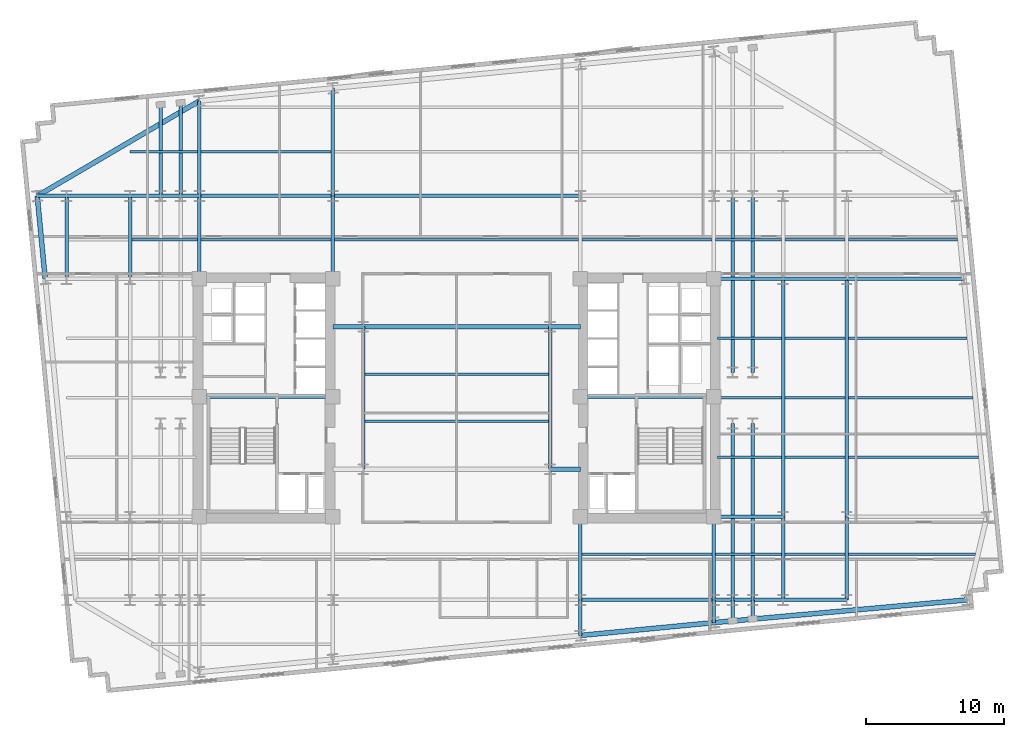
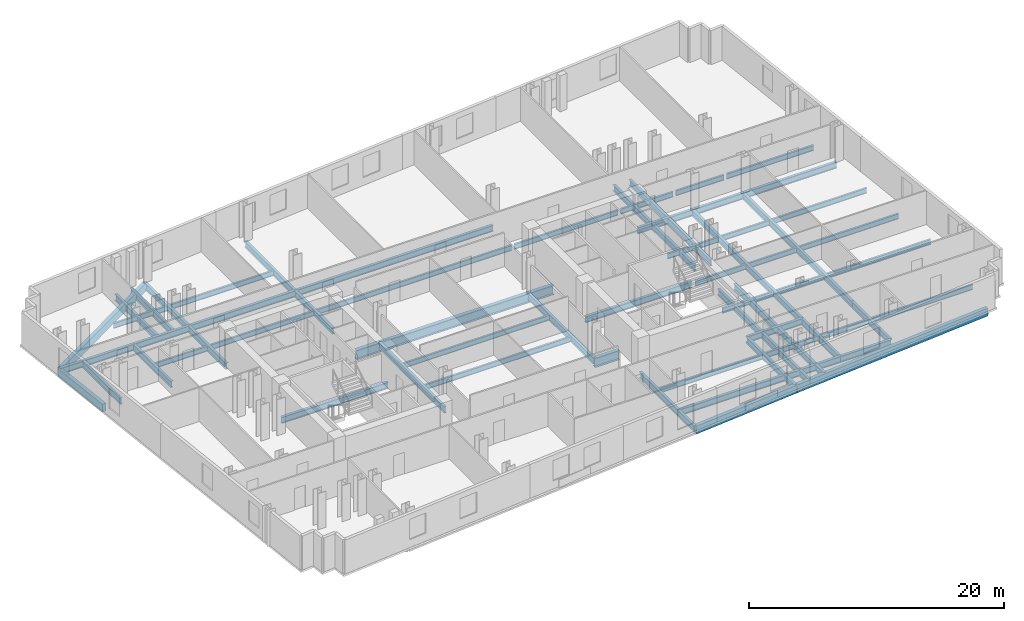
# One storey, part 2 of 11: 70 beams.
"""IFC4 building model written with IfcOpenShell, lengths in metres."""

from ifc_helpers import new_model, si_unit, direction, frame, origin, origin_2d, place, context, subcontext, project, spatial, rectangle, i_section, extrude, material, material_profile, profile_set, type_object, element, save


model = new_model("IFC4")

# Units and contexts
model_context = context("Model", 3, precision=1e-05, world=origin(), true_north=direction((0.0, 1.0)))
body_context = subcontext(model_context, "Body", "Model", "MODEL_VIEW")
ifc_project = project(units=[si_unit("LENGTHUNIT", "METRE"), si_unit("AREAUNIT", "SQUARE_METRE"), si_unit("VOLUMEUNIT", "CUBIC_METRE"), si_unit("PLANEANGLEUNIT", "RADIAN"), si_unit("MASSUNIT", "GRAM", prefix="KILO")], contexts=[model_context])

# Site, building, storey
site_placement = place(None, origin())
site = spatial("IfcSite", under=ifc_project, at=site_placement, CompositionType="ELEMENT")
building_placement = place(site_placement, origin())
building = spatial("IfcBuilding", under=site, at=building_placement, Name="Velakula Bourse", CompositionType="ELEMENT")
storey_placement = place(building_placement, frame((0.0, 0.0, 101.800048828125)))
storey = spatial("IfcBuildingStorey", under=building, at=storey_placement, Name="L27", CompositionType="ELEMENT", Elevation=101.800048828125)

# Beams
ifc_material_1 = material(Name="Steel IS 2062 Grade 350 (E350)", Category="steel")
ifc_material_profile_1 = material_profile(ifc_material_1, i_section(OverallWidth=0.25, OverallDepth=0.60009765625, WebThickness=0.01171875, FlangeThickness=0.023681640625, at=origin_2d()), Name="Steel IS 2062 Grade 350 (E350)")
ifc_profile_set_1 = profile_set([ifc_material_profile_1], Name="Steel IS 2062 Grade 350 (E350)")
beam_type_1 = type_object("IfcBeamType", Name="BM-GRD-600H", PredefinedType="BEAM", material=ifc_profile_set_1)
for number, where, z_axis, x_axis, name in (
    (1, (-18.60009765625, 0.10009765625, -0.47998046875), (1.0, 0.0, 0.0), (0.0, 1.0, 0.0), "L27 Primary Backbone Girder CRW-M"),
    (2, (8.949951171875, 0.10009765625, -0.47998046875), (1.0, 0.0, 0.0), (0.0, 1.0, 0.0), "L27 Primary Backbone Girder CRE-M"),
):
    element("IfcBeam", number, at=place(storey_placement, frame(where, z_axis=z_axis, x_axis=x_axis)), inside=storey, type_object=beam_type_1, Name=name, PredefinedType="BEAM", context=body_context, shape_type="SweptSolid", body=[
        extrude(i_section(OverallWidth=0.25, OverallDepth=0.60009765625, WebThickness=0.01171875, FlangeThickness=0.023681640625, at=origin_2d()), origin(), (0.0, 0.0, 1.0), 9.650146484375),
    ])
for number, where, z_axis, x_axis, name in (
    (3, (-6.75, -5.14990234375, -0.47998046875), (0.0, 1.0, 0.0), (-1.0, 0.0, 0.0), "L27 Primary Backbone Girder SPN-W"),
    (4, (6.75, -5.14990234375, -0.47998046875), (0.0, 1.0, 0.0), (-1.0, 0.0, 0.0), "L27 Primary Backbone Girder SPN-E"),
):
    element("IfcBeam", number, at=place(storey_placement, frame(where, z_axis=z_axis, x_axis=x_axis)), inside=storey, type_object=beam_type_1, Name=name, PredefinedType="BEAM", context=body_context, shape_type="SweptSolid", body=[
        extrude(i_section(OverallWidth=0.25, OverallDepth=0.60009765625, WebThickness=0.01171875, FlangeThickness=0.023681640625, at=origin_2d()), origin(), (0.0, 0.0, 1.0), 10.2998046875),
    ])
for number, where, z_axis, x_axis, name in (
    (5, (-18.60009765625, 8.60009765625, -0.47998046875), (0.0, 1.0, 0.0), (-1.0, 0.0, 0.0), "L27 Fulcrum Grid Girder FLC-WN"),
    (6, (-8.949951171875, 8.60009765625, -0.47998046875), (0.0, 1.0, 0.0), (-1.0, 0.0, 0.0), "L27 Fulcrum Grid Girder FLC-WCN"),
    (7, (8.949951171875, -14.60009765625, -0.47998046875), (0.0, 1.0, 0.0), (-1.0, 0.0, 0.0), "L27 Fulcrum Grid Girder FLC-ECS"),
    (8, (18.60009765625, -14.60009765625, -0.47998046875), (0.0, 1.0, 0.0), (-1.0, 0.0, 0.0), "L27 Fulcrum Grid Girder FLC-ES"),
):
    element("IfcBeam", number, at=place(storey_placement, frame(where, z_axis=z_axis, x_axis=x_axis)), inside=storey, type_object=beam_type_1, Name=name, PredefinedType="BEAM", context=body_context, shape_type="SweptSolid", body=[
        extrude(i_section(OverallWidth=0.25, OverallDepth=0.60009765625, WebThickness=0.01171875, FlangeThickness=0.023681640625, at=origin_2d()), origin(), (0.0, 0.0, 1.0), 6.0),
    ])
for number, where, z_axis, x_axis, name in (
    (9, (8.949951171875, -14.60009765625, -0.47998046875), (1.0, 0.0, 0.0), (0.0, 1.0, 0.0), "L27 Fulcrum Grid Girder FLC-S3"),
    (10, (-18.60009765625, 14.60009765625, -0.47998046875), (1.0, 0.0, 0.0), (0.0, 1.0, 0.0), "L27 Fulcrum Grid Girder FLC-N1"),
):
    element("IfcBeam", number, at=place(storey_placement, frame(where, z_axis=z_axis, x_axis=x_axis)), inside=storey, type_object=beam_type_1, Name=name, PredefinedType="BEAM", context=body_context, shape_type="SweptSolid", body=[
        extrude(i_section(OverallWidth=0.25, OverallDepth=0.60009765625, WebThickness=0.01171875, FlangeThickness=0.023681640625, at=origin_2d()), origin(), (0.0, 0.0, 1.0), 9.650146484375),
    ])
beam_1_placement = place(storey_placement, frame((-8.949951171875, 14.60009765625, -0.47998046875), z_axis=(1.0, 0.0, 0.0), x_axis=(0.0, 1.0, 0.0)))
element("IfcBeam", 11, at=beam_1_placement, inside=storey, type_object=beam_type_1, Name="L27 Fulcrum Grid Girder FLC-N2", PredefinedType="BEAM", context=body_context, shape_type="SweptSolid", body=[
    extrude(i_section(OverallWidth=0.25, OverallDepth=0.60009765625, WebThickness=0.01171875, FlangeThickness=0.023681640625, at=origin_2d()), origin(), (0.0, 0.0, 1.0), 17.89990234375),
])
for number, where, z_axis, x_axis, name in (
    (12, (19.949951171875, -14.60009765625, -0.47998046875), (0.0, 1.0, 0.0), (-1.0, 0.0, 0.0), "L27 Fulcrum Grid Girder FLC-PSE1"),
    (13, (19.949951171875, 1.85009765625, -0.47998046875), (0.0, 1.0, 0.0), (-1.0, 0.0, 0.0), "L27 Fulcrum Grid Girder FLC-PNE1"),
    (14, (21.39990234375, -14.60009765625, -0.47998046875), (0.0, 1.0, 0.0), (-1.0, 0.0, 0.0), "L27 Fulcrum Grid Girder FLC-PSE2"),
    (15, (21.39990234375, 1.85009765625, -0.47998046875), (0.0, 1.0, 0.0), (-1.0, 0.0, 0.0), "L27 Fulcrum Grid Girder FLC-PNE2"),
):
    element("IfcBeam", number, at=place(storey_placement, frame(where, z_axis=z_axis, x_axis=x_axis)), inside=storey, type_object=beam_type_1, Name=name, PredefinedType="BEAM", context=body_context, shape_type="SweptSolid", body=[
        extrude(i_section(OverallWidth=0.25, OverallDepth=0.60009765625, WebThickness=0.01171875, FlangeThickness=0.023681640625, at=origin_2d()), origin(), (0.0, 0.0, 1.0), 12.75),
    ])
beam_2_placement = place(storey_placement, frame((-23.60009765625, 14.60009765625, -0.47998046875), z_axis=(1.0, 0.0, 0.0), x_axis=(0.0, 1.0, 0.0)))
element("IfcBeam", 16, at=beam_2_placement, inside=storey, type_object=beam_type_1, Name="L27 Fulcrum Grid Girder MWG-WN2", PredefinedType="BEAM", context=body_context, shape_type="SweptSolid", body=[
    extrude(i_section(OverallWidth=0.25, OverallDepth=0.60009765625, WebThickness=0.01171875, FlangeThickness=0.023681640625, at=origin_2d()), origin(), (0.0, 0.0, 1.0), 5.0),
])
beam_3_placement = place(storey_placement, frame((-23.60009765625, 8.60009765625, -0.47998046875), z_axis=(0.0, 1.0, 0.0), x_axis=(-1.0, 0.0, 0.0)))
element("IfcBeam", 17, at=beam_3_placement, inside=storey, type_object=beam_type_1, Name="L27 Fulcrum Grid Girder MWG-WNS3", PredefinedType="BEAM", context=body_context, shape_type="SweptSolid", body=[
    extrude(i_section(OverallWidth=0.25, OverallDepth=0.60009765625, WebThickness=0.01171875, FlangeThickness=0.023681640625, at=origin_2d()), origin(), (0.0, 0.0, 1.0), 6.0),
])
for number, where, z_axis, x_axis, name in (
    (18, (18.60009765625, -14.60009765625, -0.47998046875), (1.0, 0.0, 0.0), (0.0, 1.0, 0.0), "L27 Fulcrum Grid Girder MWG-ES1"),
    (19, (18.60009765625, -8.60009765625, -0.47998046875), (1.0, 0.0, 0.0), (0.0, 1.0, 0.0), "L27 Fulcrum Grid Girder MWG-ES2"),
    (20, (18.60009765625, 8.60009765625, -0.47998046875), (1.0, 0.0, 0.0), (0.0, 1.0, 0.0), "L27 Fulcrum Grid Girder MWG-EN1"),
):
    element("IfcBeam", number, at=place(storey_placement, frame(where, z_axis=z_axis, x_axis=x_axis)), inside=storey, type_object=beam_type_1, Name=name, PredefinedType="BEAM", context=body_context, shape_type="SweptSolid", body=[
        extrude(i_section(OverallWidth=0.25, OverallDepth=0.60009765625, WebThickness=0.01171875, FlangeThickness=0.023681640625, at=origin_2d()), origin(), (0.0, 0.0, 1.0), 5.0),
    ])
beam_4_placement = place(storey_placement, frame((23.60009765625, -14.60009765625, -0.47998046875), z_axis=(0.0, 1.0, 0.0), x_axis=(-1.0, 0.0, 0.0)))
element("IfcBeam", 21, at=beam_4_placement, inside=storey, type_object=beam_type_1, Name="L27 Fulcrum Grid Girder MWG-ENS1", PredefinedType="BEAM", context=body_context, shape_type="SweptSolid", body=[
    extrude(i_section(OverallWidth=0.25, OverallDepth=0.60009765625, WebThickness=0.01171875, FlangeThickness=0.023681640625, at=origin_2d()), origin(), (0.0, 0.0, 1.0), 6.0),
])
beam_5_placement = place(storey_placement, frame((23.60009765625, -8.60009765625, -0.47998046875), z_axis=(0.0, 1.0, 0.0), x_axis=(-1.0, 0.0, 0.0)))
element("IfcBeam", 22, at=beam_5_placement, inside=storey, type_object=beam_type_1, Name="L27 Fulcrum Grid Girder MWG-ENS2", PredefinedType="BEAM", context=body_context, shape_type="SweptSolid", body=[
    extrude(i_section(OverallWidth=0.25, OverallDepth=0.60009765625, WebThickness=0.01171875, FlangeThickness=0.023681640625, at=origin_2d()), origin(), (0.0, 0.0, 1.0), 17.2001953125),
])
beam_6_placement = place(storey_placement, frame((-28.199951171875, 14.60009765625, -0.47998046875), z_axis=(1.0, 0.0, 0.0), x_axis=(0.0, 1.0, 0.0)))
element("IfcBeam", 23, at=beam_6_placement, inside=storey, type_object=beam_type_1, Name="L27 Fulcrum Grid Girder WNG-WN2", PredefinedType="BEAM", context=body_context, shape_type="SweptSolid", body=[
    extrude(i_section(OverallWidth=0.25, OverallDepth=0.60009765625, WebThickness=0.01171875, FlangeThickness=0.023681640625, at=origin_2d()), origin(), (0.0, 0.0, 1.0), 4.599853515625),
])
beam_7_placement = place(storey_placement, frame((-28.199951171875, 8.60009765625, -0.47998046875), z_axis=(0.0, 1.0, 0.0), x_axis=(-1.0, 0.0, 0.0)))
element("IfcBeam", 24, at=beam_7_placement, inside=storey, type_object=beam_type_1, Name="L27 Fulcrum Grid Girder WNG-WNS3", PredefinedType="BEAM", context=body_context, shape_type="SweptSolid", body=[
    extrude(i_section(OverallWidth=0.25, OverallDepth=0.60009765625, WebThickness=0.01171875, FlangeThickness=0.023681640625, at=origin_2d()), origin(), (0.0, 0.0, 1.0), 6.0),
])
for number, where, z_axis, x_axis, name in (
    (25, (23.60009765625, -14.60009765625, -0.47998046875), (1.0, 0.0, 0.0), (0.0, 1.0, 0.0), "L27 Fulcrum Grid Girder WNG-ES1"),
    (26, (23.60009765625, 8.60009765625, -0.47998046875), (1.0, 0.0, 0.0), (0.0, 1.0, 0.0), "L27 Fulcrum Grid Girder WNG-EN1"),
):
    element("IfcBeam", number, at=place(storey_placement, frame(where, z_axis=z_axis, x_axis=x_axis)), inside=storey, type_object=beam_type_1, Name=name, PredefinedType="BEAM", context=body_context, shape_type="SweptSolid", body=[
        extrude(i_section(OverallWidth=0.25, OverallDepth=0.60009765625, WebThickness=0.01171875, FlangeThickness=0.023681640625, at=origin_2d()), origin(), (0.0, 0.0, 1.0), 4.599853515625),
    ])
beam_8_placement = place(storey_placement, frame((28.199951171875, -14.60009765625, -0.47998046875), z_axis=(0.0, 1.0, 0.0), x_axis=(-1.0, 0.0, 0.0)))
element("IfcBeam", 27, at=beam_8_placement, inside=storey, type_object=beam_type_1, Name="L27 Fulcrum Grid Girder WNG-ENS1", PredefinedType="BEAM", context=body_context, shape_type="SweptSolid", body=[
    extrude(i_section(OverallWidth=0.25, OverallDepth=0.60009765625, WebThickness=0.01171875, FlangeThickness=0.023681640625, at=origin_2d()), origin(), (0.0, 0.0, 1.0), 6.0),
])
beam_9_placement = place(storey_placement, frame((28.199951171875, -8.60009765625, -0.47998046875), z_axis=(0.0, 1.0, 0.0), x_axis=(-1.0, 0.0, 0.0)))
element("IfcBeam", 28, at=beam_9_placement, inside=storey, type_object=beam_type_1, Name="L27 Fulcrum Grid Girder WNG-ENS2", PredefinedType="BEAM", context=body_context, shape_type="SweptSolid", body=[
    extrude(i_section(OverallWidth=0.25, OverallDepth=0.60009765625, WebThickness=0.01171875, FlangeThickness=0.023681640625, at=origin_2d()), origin(), (0.0, 0.0, 1.0), 17.2001953125),
])
beam_10_placement = place(storey_placement, frame((8.949951171875, -14.60009765625, -0.47998046875), z_axis=(0.0, -1.0, 0.0), x_axis=(1.0, 0.0, 0.0)))
element("IfcBeam", 29, at=beam_10_placement, inside=storey, type_object=beam_type_1, Name="L27 Perimeter Tie Girder S3", PredefinedType="BEAM", context=body_context, shape_type="SweptSolid", body=[
    extrude(i_section(OverallWidth=0.25, OverallDepth=0.60009765625, WebThickness=0.01171875, FlangeThickness=0.023681640625, at=origin_2d()), origin(), (0.0, 0.0, 1.0), 2.568359375),
])
beam_11_placement = place(storey_placement, frame((18.60009765625, -14.60009765625, -0.47998046875), z_axis=(0.0, -1.0, 0.0), x_axis=(1.0, 0.0, 0.0)))
element("IfcBeam", 30, at=beam_11_placement, inside=storey, type_object=beam_type_1, Name="L27 Perimeter Tie Girder S4", PredefinedType="BEAM", context=body_context, shape_type="SweptSolid", body=[
    extrude(i_section(OverallWidth=0.25, OverallDepth=0.60009765625, WebThickness=0.01171875, FlangeThickness=0.023681640625, at=origin_2d()), origin(), (0.0, 0.0, 1.0), 1.63916015625),
])
beam_12_placement = place(storey_placement, frame((-18.60009765625, 14.60009765625, -0.47998046875), z_axis=(0.0, 1.0, 0.0), x_axis=(-1.0, 0.0, 0.0)))
element("IfcBeam", 31, at=beam_12_placement, inside=storey, type_object=beam_type_1, Name="L27 Perimeter Tie Girder N1", PredefinedType="BEAM", context=body_context, shape_type="SweptSolid", body=[
    extrude(i_section(OverallWidth=0.25, OverallDepth=0.60009765625, WebThickness=0.01171875, FlangeThickness=0.023681640625, at=origin_2d()), origin(), (0.0, 0.0, 1.0), 6.868896484375),
])
beam_13_placement = place(storey_placement, frame((-8.949951171875, 14.60009765625, -0.47998046875), z_axis=(0.0, 1.0, 0.0), x_axis=(-1.0, 0.0, 0.0)))
element("IfcBeam", 32, at=beam_13_placement, inside=storey, type_object=beam_type_1, Name="L27 Perimeter Tie Girder N2", PredefinedType="BEAM", context=body_context, shape_type="SweptSolid", body=[
    extrude(i_section(OverallWidth=0.25, OverallDepth=0.60009765625, WebThickness=0.01171875, FlangeThickness=0.023681640625, at=origin_2d()), origin(), (0.0, 0.0, 1.0), 7.798095703125),
])
beam_14_placement = place(storey_placement, frame((-28.199951171875, 14.60009765625, -0.47998046875), z_axis=(-1.0, 0.0, 0.0), x_axis=(0.0, -1.0, 0.0)))
element("IfcBeam", 33, at=beam_14_placement, inside=storey, type_object=beam_type_1, Name="L27 Perimeter Tie Girder W4", PredefinedType="BEAM", context=body_context, shape_type="SweptSolid", body=[
    extrude(i_section(OverallWidth=0.25, OverallDepth=0.60009765625, WebThickness=0.01171875, FlangeThickness=0.023681640625, at=origin_2d()), origin(), (0.0, 0.0, 1.0), 2.119873046875),
])
beam_15_placement = place(storey_placement, frame((28.199951171875, 8.60009765625, -0.47998046875), z_axis=(1.0, 0.0, 0.0), x_axis=(0.0, 1.0, 0.0)))
element("IfcBeam", 34, at=beam_15_placement, inside=storey, type_object=beam_type_1, Name="L27 Perimeter Tie Girder E3", PredefinedType="BEAM", context=body_context, shape_type="SweptSolid", body=[
    extrude(i_section(OverallWidth=0.25, OverallDepth=0.60009765625, WebThickness=0.01171875, FlangeThickness=0.023681640625, at=origin_2d()), origin(), (0.0, 0.0, 1.0), 8.463623046875),
])
beam_16_placement = place(storey_placement, frame((19.949951171875, -14.60009765625, -0.47998046875), z_axis=(0.0, -1.0, 0.0), x_axis=(1.0, 0.0, 0.0)))
element("IfcBeam", 35, at=beam_16_placement, inside=storey, type_object=beam_type_1, Name="L27 Perimeter Tie Girder P03", PredefinedType="BEAM", context=body_context, shape_type="SweptSolid", body=[
    extrude(i_section(OverallWidth=0.25, OverallDepth=0.60009765625, WebThickness=0.01171875, FlangeThickness=0.023681640625, at=origin_2d()), origin(), (0.0, 0.0, 1.0), 1.509033203125),
])
beam_17_placement = place(storey_placement, frame((21.39990234375, -14.60009765625, -0.47998046875), z_axis=(0.0, -1.0, 0.0), x_axis=(1.0, 0.0, 0.0)))
element("IfcBeam", 36, at=beam_17_placement, inside=storey, type_object=beam_type_1, Name="L27 Perimeter Tie Girder P04", PredefinedType="BEAM", context=body_context, shape_type="SweptSolid", body=[
    extrude(i_section(OverallWidth=0.25, OverallDepth=0.60009765625, WebThickness=0.01171875, FlangeThickness=0.023681640625, at=origin_2d()), origin(), (0.0, 0.0, 1.0), 1.369384765625),
])
beam_18_placement = place(storey_placement, frame((-21.39990234375, 14.60009765625, -0.47998046875), z_axis=(0.0, 1.0, 0.0), x_axis=(-1.0, 0.0, 0.0)))
element("IfcBeam", 37, at=beam_18_placement, inside=storey, type_object=beam_type_1, Name="L27 Perimeter Tie Girder P05", PredefinedType="BEAM", context=body_context, shape_type="SweptSolid", body=[
    extrude(i_section(OverallWidth=0.25, OverallDepth=0.60009765625, WebThickness=0.01171875, FlangeThickness=0.023681640625, at=origin_2d()), origin(), (0.0, 0.0, 1.0), 6.59912109375),
])
beam_19_placement = place(storey_placement, frame((-19.949951171875, 14.60009765625, -0.47998046875), z_axis=(0.0, 1.0, 0.0), x_axis=(-1.0, 0.0, 0.0)))
element("IfcBeam", 38, at=beam_19_placement, inside=storey, type_object=beam_type_1, Name="L27 Perimeter Tie Girder P06", PredefinedType="BEAM", context=body_context, shape_type="SweptSolid", body=[
    extrude(i_section(OverallWidth=0.25, OverallDepth=0.60009765625, WebThickness=0.01171875, FlangeThickness=0.023681640625, at=origin_2d()), origin(), (0.0, 0.0, 1.0), 6.73876953125),
])
ifc_material_profile_2 = material_profile(ifc_material_1, i_section(OverallWidth=0.35009765625, OverallDepth=0.89990234375, WebThickness=0.02001953125, FlangeThickness=0.031982421875, at=origin_2d()), Name="Steel IS 2062 Grade 350 (E350)")
ifc_profile_set_2 = profile_set([ifc_material_profile_2], Name="Steel IS 2062 Grade 350 (E350)")
beam_type_2 = type_object("IfcBeamType", Name="BM-LNK-900", PredefinedType="BEAM", material=ifc_profile_set_2)
for number, where, z_axis, x_axis, name in (
    (39, (6.75, -5.14990234375, -0.630126953125), (1.0, 0.0, 0.0), (0.0, 1.0, 0.0), "L27 Primary Backbone Girder LNK-S3"),
    (40, (-8.949951171875, 5.14990234375, -0.630126953125), (1.0, 0.0, 0.0), (0.0, 1.0, 0.0), "L27 Primary Backbone Girder LNK-N1"),
):
    element("IfcBeam", number, at=place(storey_placement, frame(where, z_axis=z_axis, x_axis=x_axis)), inside=storey, type_object=beam_type_2, Name=name, PredefinedType="BEAM", context=body_context, shape_type="SweptSolid", body=[
        extrude(i_section(OverallWidth=0.35009765625, OverallDepth=0.89990234375, WebThickness=0.02001953125, FlangeThickness=0.031982421875, at=origin_2d()), origin(), (0.0, 0.0, 1.0), 2.199951171875),
    ])
beam_20_placement = place(storey_placement, frame((-6.75, 5.14990234375, -0.630126953125), z_axis=(1.0, 0.0, 0.0), x_axis=(0.0, 1.0, 0.0)))
element("IfcBeam", 41, at=beam_20_placement, inside=storey, type_object=beam_type_2, Name="L27 Primary Backbone Girder LNK-N2", PredefinedType="BEAM", context=body_context, shape_type="SweptSolid", body=[
    extrude(i_section(OverallWidth=0.35009765625, OverallDepth=0.89990234375, WebThickness=0.02001953125, FlangeThickness=0.031982421875, at=origin_2d()), origin(), (0.0, 0.0, 1.0), 13.5),
])
beam_21_placement = place(storey_placement, frame((6.75, 5.14990234375, -0.630126953125), z_axis=(1.0, 0.0, 0.0), x_axis=(0.0, 1.0, 0.0)))
element("IfcBeam", 42, at=beam_21_placement, inside=storey, type_object=beam_type_2, Name="L27 Primary Backbone Girder LNK-N3", PredefinedType="BEAM", context=body_context, shape_type="SweptSolid", body=[
    extrude(i_section(OverallWidth=0.35009765625, OverallDepth=0.89990234375, WebThickness=0.02001953125, FlangeThickness=0.031982421875, at=origin_2d()), origin(), (0.0, 0.0, 1.0), 2.199951171875),
])
ifc_material_profile_3 = material_profile(ifc_material_1, i_section(OverallWidth=0.179931640625, OverallDepth=0.5, WebThickness=0.01025390625, FlangeThickness=0.01708984375, at=origin_2d()), Name="Steel IS 2062 Grade 350 (E350)")
ifc_profile_set_3 = profile_set([ifc_material_profile_3], Name="Steel IS 2062 Grade 350 (E350)")
beam_type_3 = type_object("IfcBeamType", Name="JST-TWR-500", PredefinedType="JOIST", material=ifc_profile_set_3)
beam_22_placement = place(storey_placement, frame((9.074951171875, -11.300048828125, -0.429931640625), z_axis=(1.0, 0.0, 0.0), x_axis=(0.0, 1.0, 0.0)))
element("IfcBeam", 43, at=beam_22_placement, inside=storey, type_object=beam_type_3, Name="L27 Trading Floor Composite Joist 08", PredefinedType="JOIST", context=body_context, shape_type="SweptSolid", body=[
    extrude(i_section(OverallWidth=0.179931640625, OverallDepth=0.5, WebThickness=0.01025390625, FlangeThickness=0.01708984375, at=origin_2d()), origin(), (0.0, 0.0, 1.0), 9.400146484375),
])
beam_23_placement = place(storey_placement, frame((18.72509765625, -11.300048828125, -0.429931640625), z_axis=(1.0, 0.0, 0.0), x_axis=(0.0, 1.0, 0.0)))
element("IfcBeam", 44, at=beam_23_placement, inside=storey, type_object=beam_type_3, Name="L27 Trading Floor Composite Joist 09", PredefinedType="JOIST", context=body_context, shape_type="SweptSolid", body=[
    extrude(i_section(OverallWidth=0.179931640625, OverallDepth=0.5, WebThickness=0.01025390625, FlangeThickness=0.01708984375, at=origin_2d()), origin(), (0.0, 0.0, 1.0), 4.75),
])
beam_24_placement = place(storey_placement, frame((23.72509765625, -11.300048828125, -0.429931640625), z_axis=(1.0, 0.0, 0.0), x_axis=(0.0, 1.0, 0.0)))
element("IfcBeam", 45, at=beam_24_placement, inside=storey, type_object=beam_type_3, Name="L27 Trading Floor Composite Joist 10", PredefinedType="JOIST", context=body_context, shape_type="SweptSolid", body=[
    extrude(i_section(OverallWidth=0.179931640625, OverallDepth=0.5, WebThickness=0.01025390625, FlangeThickness=0.01708984375, at=origin_2d()), origin(), (0.0, 0.0, 1.0), 4.349853515625),
])
beam_25_placement = place(storey_placement, frame((28.324951171875, -11.300048828125, -0.429931640625), z_axis=(1.0, 0.0, 0.0), x_axis=(0.0, 1.0, 0.0)))
element("IfcBeam", 46, at=beam_25_placement, inside=storey, type_object=beam_type_3, Name="L27 Trading Floor Composite Joist 11", PredefinedType="JOIST", context=body_context, shape_type="SweptSolid", body=[
    extrude(i_section(OverallWidth=0.179931640625, OverallDepth=0.5, WebThickness=0.01025390625, FlangeThickness=0.01708984375, at=origin_2d()), origin(), (0.0, 0.0, 1.0), 9.170654296875),
])
beam_26_placement = place(storey_placement, frame((-23.47509765625, 11.449951171875, -0.429931640625), z_axis=(1.0, 0.0, 0.0), x_axis=(0.0, 1.0, 0.0)))
element("IfcBeam", 47, at=beam_26_placement, inside=storey, type_object=beam_type_3, Name="L27 Trading Floor Composite Joist 13", PredefinedType="JOIST", context=body_context, shape_type="SweptSolid", body=[
    extrude(i_section(OverallWidth=0.179931640625, OverallDepth=0.5, WebThickness=0.01025390625, FlangeThickness=0.01708984375, at=origin_2d()), origin(), (0.0, 0.0, 1.0), 4.75),
])
beam_27_placement = place(storey_placement, frame((-18.47509765625, 11.449951171875, -0.429931640625), z_axis=(1.0, 0.0, 0.0), x_axis=(0.0, 1.0, 0.0)))
element("IfcBeam", 48, at=beam_27_placement, inside=storey, type_object=beam_type_3, Name="L27 Trading Floor Composite Joist 14", PredefinedType="JOIST", context=body_context, shape_type="SweptSolid", body=[
    extrude(i_section(OverallWidth=0.179931640625, OverallDepth=0.5, WebThickness=0.01025390625, FlangeThickness=0.01708984375, at=origin_2d()), origin(), (0.0, 0.0, 1.0), 9.400146484375),
])
beam_28_placement = place(storey_placement, frame((-8.824951171875, 11.449951171875, -0.429931640625), z_axis=(1.0, 0.0, 0.0), x_axis=(0.0, 1.0, 0.0)))
element("IfcBeam", 49, at=beam_28_placement, inside=storey, type_object=beam_type_3, Name="L27 Trading Floor Composite Joist 15", PredefinedType="JOIST", context=body_context, shape_type="SweptSolid", body=[
    extrude(i_section(OverallWidth=0.179931640625, OverallDepth=0.5, WebThickness=0.01025390625, FlangeThickness=0.01708984375, at=origin_2d()), origin(), (0.0, 0.0, 1.0), 17.64990234375),
])
beam_29_placement = place(storey_placement, frame((9.074951171875, 11.449951171875, -0.429931640625), z_axis=(1.0, 0.0, 0.0), x_axis=(0.0, 1.0, 0.0)))
element("IfcBeam", 50, at=beam_29_placement, inside=storey, type_object=beam_type_3, Name="L27 Trading Floor Composite Joist 16", PredefinedType="JOIST", context=body_context, shape_type="SweptSolid", body=[
    extrude(i_section(OverallWidth=0.179931640625, OverallDepth=0.5, WebThickness=0.01025390625, FlangeThickness=0.01708984375, at=origin_2d()), origin(), (0.0, 0.0, 1.0), 9.400146484375),
])
beam_30_placement = place(storey_placement, frame((18.72509765625, 11.449951171875, -0.429931640625), z_axis=(1.0, 0.0, 0.0), x_axis=(0.0, 1.0, 0.0)))
element("IfcBeam", 51, at=beam_30_placement, inside=storey, type_object=beam_type_3, Name="L27 Trading Floor Composite Joist 17", PredefinedType="JOIST", context=body_context, shape_type="SweptSolid", body=[
    extrude(i_section(OverallWidth=0.179931640625, OverallDepth=0.5, WebThickness=0.01025390625, FlangeThickness=0.01708984375, at=origin_2d()), origin(), (0.0, 0.0, 1.0), 4.75),
])
beam_31_placement = place(storey_placement, frame((23.72509765625, 11.449951171875, -0.429931640625), z_axis=(1.0, 0.0, 0.0), x_axis=(0.0, 1.0, 0.0)))
element("IfcBeam", 52, at=beam_31_placement, inside=storey, type_object=beam_type_3, Name="L27 Trading Floor Composite Joist 18", PredefinedType="JOIST", context=body_context, shape_type="SweptSolid", body=[
    extrude(i_section(OverallWidth=0.179931640625, OverallDepth=0.5, WebThickness=0.01025390625, FlangeThickness=0.01708984375, at=origin_2d()), origin(), (0.0, 0.0, 1.0), 4.349853515625),
])
beam_32_placement = place(storey_placement, frame((28.324951171875, 11.449951171875, -0.429931640625), z_axis=(1.0, 0.0, 0.0), x_axis=(0.0, 1.0, 0.0)))
element("IfcBeam", 53, at=beam_32_placement, inside=storey, type_object=beam_type_3, Name="L27 Trading Floor Composite Joist 19", PredefinedType="JOIST", context=body_context, shape_type="SweptSolid", body=[
    extrude(i_section(OverallWidth=0.179931640625, OverallDepth=0.5, WebThickness=0.01025390625, FlangeThickness=0.01708984375, at=origin_2d()), origin(), (0.0, 0.0, 1.0), 7.888427734375),
])
beam_33_placement = place(storey_placement, frame((-23.60009765625, 17.800048828125, -0.429931640625), z_axis=(1.0, 0.0, 0.0), x_axis=(0.0, 1.0, 0.0)))
element("IfcBeam", 54, at=beam_33_placement, inside=storey, type_object=beam_type_3, Name="L27 Trading Floor Composite Joist 20", PredefinedType="JOIST", context=body_context, shape_type="SweptSolid", body=[
    extrude(i_section(OverallWidth=0.179931640625, OverallDepth=0.5, WebThickness=0.01025390625, FlangeThickness=0.01708984375, at=origin_2d()), origin(), (0.0, 0.0, 1.0), 4.875),
])
beam_34_placement = place(storey_placement, frame((-18.47509765625, 17.800048828125, -0.429931640625), z_axis=(1.0, 0.0, 0.0), x_axis=(0.0, 1.0, 0.0)))
element("IfcBeam", 55, at=beam_34_placement, inside=storey, type_object=beam_type_3, Name="L27 Trading Floor Composite Joist 21", PredefinedType="JOIST", context=body_context, shape_type="SweptSolid", body=[
    extrude(i_section(OverallWidth=0.179931640625, OverallDepth=0.5, WebThickness=0.01025390625, FlangeThickness=0.01708984375, at=origin_2d()), origin(), (0.0, 0.0, 1.0), 9.400146484375),
])
for number, where, z_axis, x_axis, name in (
    (56, (-6.625, -1.699951171875, -0.429931640625), (1.0, 0.0, 0.0), (0.0, 1.0, 0.0), "L27 Trading Floor Composite Joist 31"),
    (57, (-6.625, 1.699951171875, -0.429931640625), (1.0, 0.0, 0.0), (0.0, 1.0, 0.0), "L27 Trading Floor Composite Joist 32"),
):
    element("IfcBeam", number, at=place(storey_placement, frame(where, z_axis=z_axis, x_axis=x_axis)), inside=storey, type_object=beam_type_3, Name=name, PredefinedType="JOIST", context=body_context, shape_type="SweptSolid", body=[
        extrude(i_section(OverallWidth=0.179931640625, OverallDepth=0.5, WebThickness=0.01025390625, FlangeThickness=0.01708984375, at=origin_2d()), origin(), (0.0, 0.0, 1.0), 13.25),
    ])
beam_35_placement = place(storey_placement, frame((18.85009765625, -4.300048828125, -0.429931640625), z_axis=(1.0, 0.0, 0.0), x_axis=(0.0, 1.0, 0.0)))
element("IfcBeam", 58, at=beam_35_placement, inside=storey, type_object=beam_type_3, Name="L27 Trading Floor Composite Joist 35", PredefinedType="JOIST", context=body_context, shape_type="SweptSolid", body=[
    extrude(i_section(OverallWidth=0.179931640625, OverallDepth=0.5, WebThickness=0.01025390625, FlangeThickness=0.01708984375, at=origin_2d()), origin(), (0.0, 0.0, 1.0), 4.625),
])
beam_36_placement = place(storey_placement, frame((23.72509765625, -4.300048828125, -0.429931640625), z_axis=(1.0, 0.0, 0.0), x_axis=(0.0, 1.0, 0.0)))
element("IfcBeam", 59, at=beam_36_placement, inside=storey, type_object=beam_type_3, Name="L27 Trading Floor Composite Joist 36", PredefinedType="JOIST", context=body_context, shape_type="SweptSolid", body=[
    extrude(i_section(OverallWidth=0.179931640625, OverallDepth=0.5, WebThickness=0.01025390625, FlangeThickness=0.01708984375, at=origin_2d()), origin(), (0.0, 0.0, 1.0), 4.349853515625),
])
beam_37_placement = place(storey_placement, frame((28.324951171875, -4.300048828125, -0.429931640625), z_axis=(1.0, 0.0, 0.0), x_axis=(0.0, 1.0, 0.0)))
element("IfcBeam", 60, at=beam_37_placement, inside=storey, type_object=beam_type_3, Name="L27 Trading Floor Composite Joist 37", PredefinedType="JOIST", context=body_context, shape_type="SweptSolid", body=[
    extrude(i_section(OverallWidth=0.179931640625, OverallDepth=0.5, WebThickness=0.01025390625, FlangeThickness=0.01708984375, at=origin_2d()), origin(), (0.0, 0.0, 1.0), 9.405029296875),
])
beam_38_placement = place(storey_placement, frame((18.85009765625, 0.0, -0.429931640625), z_axis=(1.0, 0.0, 0.0), x_axis=(0.0, 1.0, 0.0)))
element("IfcBeam", 61, at=beam_38_placement, inside=storey, type_object=beam_type_3, Name="L27 Trading Floor Composite Joist 40", PredefinedType="JOIST", context=body_context, shape_type="SweptSolid", body=[
    extrude(i_section(OverallWidth=0.179931640625, OverallDepth=0.5, WebThickness=0.01025390625, FlangeThickness=0.01708984375, at=origin_2d()), origin(), (0.0, 0.0, 1.0), 4.625),
])
beam_39_placement = place(storey_placement, frame((23.72509765625, 0.0, -0.429931640625), z_axis=(1.0, 0.0, 0.0), x_axis=(0.0, 1.0, 0.0)))
element("IfcBeam", 62, at=beam_39_placement, inside=storey, type_object=beam_type_3, Name="L27 Trading Floor Composite Joist 41", PredefinedType="JOIST", context=body_context, shape_type="SweptSolid", body=[
    extrude(i_section(OverallWidth=0.179931640625, OverallDepth=0.5, WebThickness=0.01025390625, FlangeThickness=0.01708984375, at=origin_2d()), origin(), (0.0, 0.0, 1.0), 4.349853515625),
])
beam_40_placement = place(storey_placement, frame((28.324951171875, 0.0, -0.429931640625), z_axis=(1.0, 0.0, 0.0), x_axis=(0.0, 1.0, 0.0)))
element("IfcBeam", 63, at=beam_40_placement, inside=storey, type_object=beam_type_3, Name="L27 Trading Floor Composite Joist 42", PredefinedType="JOIST", context=body_context, shape_type="SweptSolid", body=[
    extrude(i_section(OverallWidth=0.179931640625, OverallDepth=0.5, WebThickness=0.01025390625, FlangeThickness=0.01708984375, at=origin_2d()), origin(), (0.0, 0.0, 1.0), 8.990966796875),
])
beam_41_placement = place(storey_placement, frame((18.85009765625, 4.300048828125, -0.429931640625), z_axis=(1.0, 0.0, 0.0), x_axis=(0.0, 1.0, 0.0)))
element("IfcBeam", 64, at=beam_41_placement, inside=storey, type_object=beam_type_3, Name="L27 Trading Floor Composite Joist 45", PredefinedType="JOIST", context=body_context, shape_type="SweptSolid", body=[
    extrude(i_section(OverallWidth=0.179931640625, OverallDepth=0.5, WebThickness=0.01025390625, FlangeThickness=0.01708984375, at=origin_2d()), origin(), (0.0, 0.0, 1.0), 4.625),
])
beam_42_placement = place(storey_placement, frame((23.72509765625, 4.300048828125, -0.429931640625), z_axis=(1.0, 0.0, 0.0), x_axis=(0.0, 1.0, 0.0)))
element("IfcBeam", 65, at=beam_42_placement, inside=storey, type_object=beam_type_3, Name="L27 Trading Floor Composite Joist 46", PredefinedType="JOIST", context=body_context, shape_type="SweptSolid", body=[
    extrude(i_section(OverallWidth=0.179931640625, OverallDepth=0.5, WebThickness=0.01025390625, FlangeThickness=0.01708984375, at=origin_2d()), origin(), (0.0, 0.0, 1.0), 4.349853515625),
])
beam_43_placement = place(storey_placement, frame((28.324951171875, 4.300048828125, -0.429931640625), z_axis=(1.0, 0.0, 0.0), x_axis=(0.0, 1.0, 0.0)))
element("IfcBeam", 66, at=beam_43_placement, inside=storey, type_object=beam_type_3, Name="L27 Trading Floor Composite Joist 47", PredefinedType="JOIST", context=body_context, shape_type="SweptSolid", body=[
    extrude(i_section(OverallWidth=0.179931640625, OverallDepth=0.5, WebThickness=0.01025390625, FlangeThickness=0.01708984375, at=origin_2d()), origin(), (0.0, 0.0, 1.0), 8.576904296875),
])
ifc_material_2 = material(Name="Precast concrete M45 (fck 45 MPa)", Category="concrete")
ifc_material_profile_4 = material_profile(ifc_material_2, rectangle(XDim=0.35009765625, YDim=0.75, at=origin_2d()), Name="Precast concrete M45 (fck 45 MPa)")
ifc_profile_set_4 = profile_set([ifc_material_profile_4], Name="Precast concrete M45 (fck 45 MPa)")
beam_type_4 = type_object("IfcBeamType", Name="SPN-BRICK-750", PredefinedType="SPANDREL", material=ifc_profile_set_4)
beam_44_placement = place(storey_placement, frame((8.949951171875, -17.16845703125, -0.554931640625), z_axis=(0.99539623971, 0.095845323155, 0.0), x_axis=(-0.095845323155, 0.99539623971, 0.0)))
element("IfcBeam", 67, at=beam_44_placement, inside=storey, type_object=beam_type_4, Name="L27 Brick-Faced Precast Spandrel S3-S4", PredefinedType="SPANDREL", context=body_context, shape_type="SweptSolid", body=[
    extrude(rectangle(XDim=0.35009765625, YDim=0.75, at=origin_2d()), origin(), (0.0, 0.0, 1.0), 9.69482421875),
])
beam_45_placement = place(storey_placement, frame((-29.7421875, 8.60009765625, -0.554931640625), z_axis=(-0.095829714309, 0.995397742541, 0.0), x_axis=(-0.995397742541, -0.095829714309, 0.0)))
element("IfcBeam", 68, at=beam_45_placement, inside=storey, type_object=beam_type_4, Name="L27 Brick-Faced Precast Spandrel W3-W4", PredefinedType="SPANDREL", context=body_context, shape_type="SweptSolid", body=[
    extrude(rectangle(XDim=0.35009765625, YDim=0.75, at=origin_2d()), origin(), (0.0, 0.0, 1.0), 6.02783203125),
])
beam_46_placement = place(storey_placement, frame((18.60009765625, -16.2392578125, -0.554931640625), z_axis=(0.99600727708, 0.089272078527, 0.0), x_axis=(-0.089272078527, 0.99600727708, 0.0)))
element("IfcBeam", 69, at=beam_46_placement, inside=storey, type_object=beam_type_4, Name="L27 Brick-Faced Precast Spandrel S4-E1", PredefinedType="SPANDREL", context=body_context, shape_type="SweptSolid", body=[
    extrude(rectangle(XDim=0.35009765625, YDim=0.75, at=origin_2d()), origin(), (0.0, 0.0, 1.0), 18.361328125),
])
beam_47_placement = place(storey_placement, frame((-18.60009765625, 21.468994140625, -0.554931640625), z_axis=(-0.862739335169, -0.505648929151, 0.0), x_axis=(0.505648929151, -0.862739335169, 0.0)))
element("IfcBeam", 70, at=beam_47_placement, inside=storey, type_object=beam_type_4, Name="L27 Brick-Faced Precast Spandrel N1-W4", PredefinedType="SPANDREL", context=body_context, shape_type="SweptSolid", body=[
    extrude(rectangle(XDim=0.35009765625, YDim=0.75, at=origin_2d()), origin(), (0.0, 0.0, 1.0), 13.584228515625),
])

save(model, "model.ifc")
